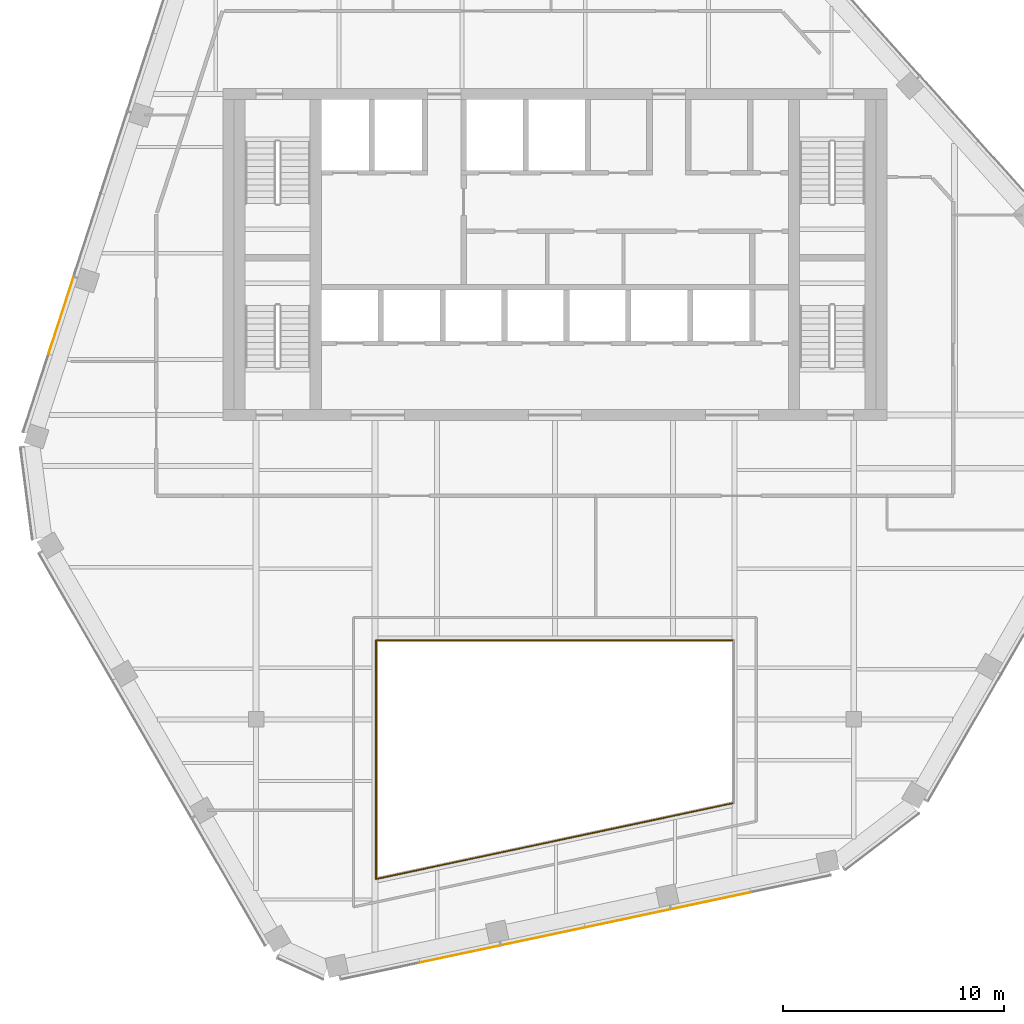
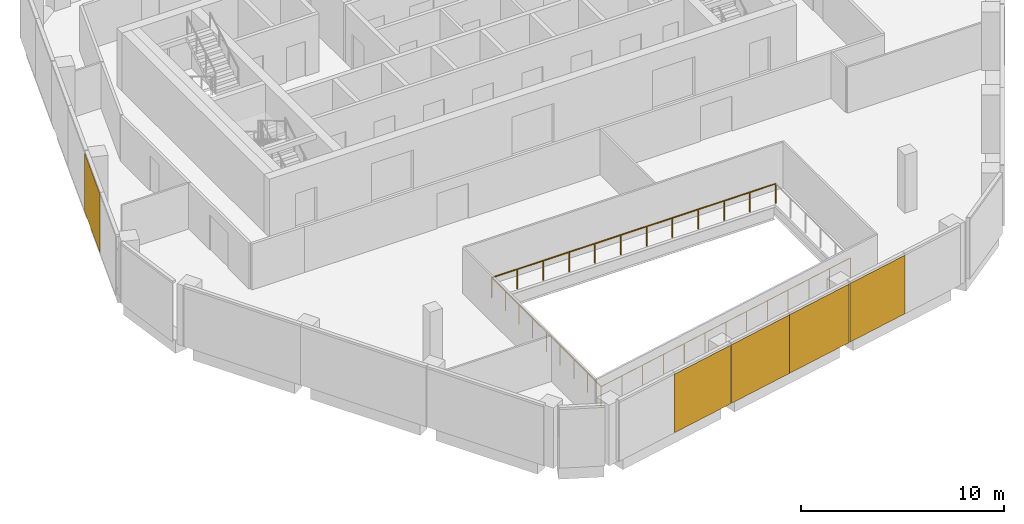
# One storey, part 11 of 15: 5 coverings, 3 railings, 2 elements without a shape of their own.
"""IFC4 building model written with IfcOpenShell, lengths in metres."""

from ifc_helpers import new_model, si_unit, direction, frame, origin, origin_2d, place, context, subcontext, project, spatial, rectangle, circle, extrude, material, layer, layer_set, type_object, element, aggregate, save


model = new_model("IFC4")

# Units and contexts
model_context = context("Model", 3, precision=1e-05, world=origin(), true_north=direction((0.0, 1.0)))
body_context = subcontext(model_context, "Body", "Model", "MODEL_VIEW")
ifc_project = project(units=[si_unit("LENGTHUNIT", "METRE"), si_unit("AREAUNIT", "SQUARE_METRE"), si_unit("VOLUMEUNIT", "CUBIC_METRE"), si_unit("PLANEANGLEUNIT", "RADIAN"), si_unit("MASSUNIT", "GRAM", prefix="KILO")], contexts=[model_context])

# Site, building, storey
site_placement = place(None, origin())
site = spatial("IfcSite", under=ifc_project, at=site_placement, CompositionType="ELEMENT")
building_placement = place(site_placement, origin())
building = spatial("IfcBuilding", under=site, at=building_placement, Name="Isthmus Gate Tower", CompositionType="ELEMENT")
storey_placement = place(building_placement, frame((0.0, 0.0, 282.85009765625)))
storey = spatial("IfcBuildingStorey", under=building, at=storey_placement, Name="L72", CompositionType="ELEMENT", Elevation=282.85009765625)

# Railings
ifc_material_1 = material(Name="Laminated toughened glass balustrade with steel rail", Category="steel")
railing_type = type_object("IfcRailingType", Name="ATRIUM GUARD GLASS BALUSTRADE 1200", PredefinedType="GUARDRAIL", material=ifc_material_1)
railing_1_placement = place(storey_placement, frame((-8.080078125, -20.7099609375, 0.0)))
element("IfcRailing", 1, at=railing_1_placement, inside=storey, type_object=railing_type, Name="L72 atrium guard", PredefinedType="GUARDRAIL", context=body_context, shape_type="SweptSolid", body=[
    extrude(circle(Radius=0.02490234375, at=origin_2d()), frame((0.0, 0.0, 1.1748046875), z_axis=(0.0, 1.0, 0.0), x_axis=(-1.0, 0.0, 0.0)), (0.0, 0.0, 1.0), 10.7900390625),
    extrude(circle(Radius=0.02490234375, at=origin_2d()), origin(), (0.0, 0.0, 1.0), 1.14990234375),
    extrude(circle(Radius=0.02490234375, at=origin_2d()), frame((0.0, 1.3486328125, 0.0)), (0.0, 0.0, 1.0), 1.14990234375),
    extrude(circle(Radius=0.02490234375, at=origin_2d()), frame((0.0, 2.697509765625, 0.0)), (0.0, 0.0, 1.0), 1.14990234375),
    extrude(circle(Radius=0.02490234375, at=origin_2d()), frame((0.0, 4.04638671875, 0.0)), (0.0, 0.0, 1.0), 1.14990234375),
    extrude(circle(Radius=0.02490234375, at=origin_2d()), frame((0.0, 5.39501953125, 0.0)), (0.0, 0.0, 1.0), 1.14990234375),
    extrude(circle(Radius=0.02490234375, at=origin_2d()), frame((0.0, 6.74365234375, 0.0)), (0.0, 0.0, 1.0), 1.14990234375),
    extrude(circle(Radius=0.02490234375, at=origin_2d()), frame((0.0, 8.092529296875, 0.0)), (0.0, 0.0, 1.0), 1.14990234375),
    extrude(circle(Radius=0.02490234375, at=origin_2d()), frame((0.0, 9.44140625, 0.0)), (0.0, 0.0, 1.0), 1.14990234375),
    extrude(circle(Radius=0.02490234375, at=origin_2d()), frame((0.0, 10.7900390625, 0.0)), (0.0, 0.0, 1.0), 1.14990234375),
])
railing_2_placement = place(storey_placement, frame((-8.080078125, -9.919921875, 0.0)))
element("IfcRailing", 2, at=railing_2_placement, inside=storey, type_object=railing_type, Name="L72 atrium guard", PredefinedType="GUARDRAIL", context=body_context, shape_type="SweptSolid", body=[
    extrude(circle(Radius=0.02490234375, at=origin_2d()), frame((0.0, 0.0, 1.1748046875), z_axis=(1.0, 0.0, 0.0), x_axis=(0.0, 1.0, 0.0)), (0.0, 0.0, 1.0), 16.16015625),
    extrude(circle(Radius=0.02490234375, at=origin_2d()), origin(), (0.0, 0.0, 1.0), 1.14990234375),
    extrude(circle(Radius=0.02490234375, at=origin_2d()), frame((1.468994140625, 0.0, 0.0)), (0.0, 0.0, 1.0), 1.14990234375),
    extrude(circle(Radius=0.02490234375, at=origin_2d()), frame((2.938232421875, 0.0, 0.0)), (0.0, 0.0, 1.0), 1.14990234375),
    extrude(circle(Radius=0.02490234375, at=origin_2d()), frame((4.4072265625, 0.0, 0.0)), (0.0, 0.0, 1.0), 1.14990234375),
    extrude(circle(Radius=0.02490234375, at=origin_2d()), frame((5.87646484375, 0.0, 0.0)), (0.0, 0.0, 1.0), 1.14990234375),
    extrude(circle(Radius=0.02490234375, at=origin_2d()), frame((7.345458984375, 0.0, 0.0)), (0.0, 0.0, 1.0), 1.14990234375),
    extrude(circle(Radius=0.02490234375, at=origin_2d()), frame((8.814697265625, 0.0, 0.0)), (0.0, 0.0, 1.0), 1.14990234375),
    extrude(circle(Radius=0.02490234375, at=origin_2d()), frame((10.28369140625, 0.0, 0.0)), (0.0, 0.0, 1.0), 1.14990234375),
    extrude(circle(Radius=0.02490234375, at=origin_2d()), frame((11.7529296875, 0.0, 0.0)), (0.0, 0.0, 1.0), 1.14990234375),
    extrude(circle(Radius=0.02490234375, at=origin_2d()), frame((13.221923828125, 0.0, 0.0)), (0.0, 0.0, 1.0), 1.14990234375),
    extrude(circle(Radius=0.02490234375, at=origin_2d()), frame((14.691162109375, 0.0, 0.0)), (0.0, 0.0, 1.0), 1.14990234375),
    extrude(circle(Radius=0.02490234375, at=origin_2d()), frame((16.16015625, 0.0, 0.0)), (0.0, 0.0, 1.0), 1.14990234375),
])
railing_3_placement = place(storey_placement, frame((8.080078125, -17.27490234375, 0.0)))
element("IfcRailing", 3, at=railing_3_placement, inside=storey, type_object=railing_type, Name="L72 atrium guard", PredefinedType="GUARDRAIL", context=body_context, shape_type="SweptSolid", body=[
    extrude(circle(Radius=0.02490234375, at=origin_2d()), frame((0.0, 0.0, 1.1748046875), z_axis=(-0.978146230105, -0.207918139013, 0.0), x_axis=(0.207918139013, -0.978146230105, 0.0)), (0.0, 0.0, 1.0), 16.521240234375),
    extrude(circle(Radius=0.02490234375, at=origin_2d()), origin(), (0.0, 0.0, 1.0), 1.14990234375),
    extrude(circle(Radius=0.02490234375, at=origin_2d()), frame((-1.3466796875, -0.2861328125, 0.0)), (0.0, 0.0, 1.0), 1.14990234375),
    extrude(circle(Radius=0.02490234375, at=origin_2d()), frame((-2.693359375, -0.572509765625, 0.0)), (0.0, 0.0, 1.0), 1.14990234375),
    extrude(circle(Radius=0.02490234375, at=origin_2d()), frame((-4.0400390625, -0.85888671875, 0.0)), (0.0, 0.0, 1.0), 1.14990234375),
    extrude(circle(Radius=0.02490234375, at=origin_2d()), frame((-5.38671875, -1.14501953125, 0.0)), (0.0, 0.0, 1.0), 1.14990234375),
    extrude(circle(Radius=0.02490234375, at=origin_2d()), frame((-6.7333984375, -1.43115234375, 0.0)), (0.0, 0.0, 1.0), 1.14990234375),
    extrude(circle(Radius=0.02490234375, at=origin_2d()), frame((-8.080078125, -1.717529296875, 0.0)), (0.0, 0.0, 1.0), 1.14990234375),
    extrude(circle(Radius=0.02490234375, at=origin_2d()), frame((-9.4267578125, -2.00390625, 0.0)), (0.0, 0.0, 1.0), 1.14990234375),
    extrude(circle(Radius=0.02490234375, at=origin_2d()), frame((-10.7734375, -2.2900390625, 0.0)), (0.0, 0.0, 1.0), 1.14990234375),
    extrude(circle(Radius=0.02490234375, at=origin_2d()), frame((-12.1201171875, -2.576171875, 0.0)), (0.0, 0.0, 1.0), 1.14990234375),
    extrude(circle(Radius=0.02490234375, at=origin_2d()), frame((-13.466796875, -2.862548828125, 0.0)), (0.0, 0.0, 1.0), 1.14990234375),
    extrude(circle(Radius=0.02490234375, at=origin_2d()), frame((-14.8134765625, -3.14892578125, 0.0)), (0.0, 0.0, 1.0), 1.14990234375),
    extrude(circle(Radius=0.02490234375, at=origin_2d()), frame((-16.16015625, -3.43505859375, 0.0)), (0.0, 0.0, 1.0), 1.14990234375),
])

# Curtain wall, covering
ifc_material_2 = material(Name="Aluminium, pale champagne anodised", Category="aluminium")
ifc_layer_1 = layer(ifc_material_2, 0.199951171875)
ifc_layer_set_1 = layer_set([ifc_layer_1], Name="CW-1 UNITISED CURTAIN WALL 200 DEEP")
curtain_wall_type = type_object("IfcCurtainWallType", Name="CW-1 UNITISED CURTAIN WALL 200 DEEP", PredefinedType="NOTDEFINED", material=ifc_layer_set_1)
curtain_wall_1_placement = place(storey_placement, origin())
curtain_wall_1 = element("IfcCurtainWall", 4, at=curtain_wall_1_placement, inside=storey, type_object=curtain_wall_type, Name="CW-1 NW L72", PredefinedType="NOTDEFINED")
ifc_material_3 = material(Name="Aluminium composite panel, pale champagne anodised", Category="aluminium")
ifc_layer_2 = layer(ifc_material_3, 0.031982421875)
ifc_layer_set_2 = layer_set([ifc_layer_2], Name="CW-1 PALE METAL PANEL 32")
covering_type = type_object("IfcCoveringType", Name="CW-1 PALE METAL PANEL 32", PredefinedType="CLADDING", material=ifc_layer_set_2)
covering_1_placement = place(storey_placement, frame((-22.309326171875, 4.737548828125, 0.0), z_axis=(0.0, 0.0, 1.0), x_axis=(-0.309016994375, -0.951056516295, 0.0)))
covering_1 = element("IfcCovering", 5, at=covering_1_placement, type_object=covering_type, Name="CW-1 pale metal panel", PredefinedType="CLADDING", context=body_context, shape_type="SweptSolid", body=[
    extrude(rectangle(XDim=3.643310546875, YDim=0.031982421875, at=origin_2d()), origin(), (0.0, 0.0, 1.0), 3.52001953125),
])
aggregate(curtain_wall_1, [covering_1])

# Curtain wall, coverings
curtain_wall_2_placement = place(storey_placement, origin())
curtain_wall_2 = element("IfcCurtainWall", 6, at=curtain_wall_2_placement, inside=storey, type_object=curtain_wall_type, Name="CW-1 S L72", PredefinedType="NOTDEFINED")
covering_2_placement = place(storey_placement, frame((-4.28515625, -24.098876953125, 0.0), z_axis=(0.0, 0.0, 1.0), x_axis=(0.978147600734, 0.207911690818, 0.0)))
covering_2 = element("IfcCovering", 7, at=covering_2_placement, type_object=covering_type, Name="CW-1 pale metal panel", PredefinedType="CLADDING", context=body_context, shape_type="SweptSolid", body=[
    extrude(rectangle(XDim=3.703369140625, YDim=0.031982421875, at=origin_2d()), origin(), (0.0, 0.0, 1.0), 3.52001953125),
])
covering_3_placement = place(storey_placement, frame((-0.5234375, -23.29931640625, 0.0), z_axis=(0.0, 0.0, 1.0), x_axis=(0.978147600734, 0.207911690818, 0.0)))
covering_3 = element("IfcCovering", 8, at=covering_3_placement, type_object=covering_type, Name="CW-1 pale metal panel", PredefinedType="CLADDING", context=body_context, shape_type="SweptSolid", body=[
    extrude(rectangle(XDim=3.868408203125, YDim=0.031982421875, at=origin_2d()), origin(), (0.0, 0.0, 1.0), 3.52001953125),
])
covering_4_placement = place(storey_placement, frame((3.289794921875, -22.48876953125, 0.0), z_axis=(0.0, 0.0, 1.0), x_axis=(0.978147600734, 0.207911690818, 0.0)))
covering_4 = element("IfcCovering", 9, at=covering_4_placement, type_object=covering_type, Name="CW-1 pale metal panel", PredefinedType="CLADDING", context=body_context, shape_type="SweptSolid", body=[
    extrude(rectangle(XDim=3.928466796875, YDim=0.031982421875, at=origin_2d()), origin(), (0.0, 0.0, 1.0), 3.52001953125),
])
covering_5_placement = place(storey_placement, frame((7.0517578125, -21.689208984375, 0.0), z_axis=(0.0, 0.0, 1.0), x_axis=(0.978147600734, 0.207911690818, 0.0)))
covering_5 = element("IfcCovering", 10, at=covering_5_placement, type_object=covering_type, Name="CW-1 pale metal panel", PredefinedType="CLADDING", context=body_context, shape_type="SweptSolid", body=[
    extrude(rectangle(XDim=3.643310546875, YDim=0.031982421875, at=origin_2d()), origin(), (0.0, 0.0, 1.0), 3.52001953125),
])
aggregate(curtain_wall_2, [covering_2, covering_3, covering_4, covering_5])

save(model, "model.ifc")
